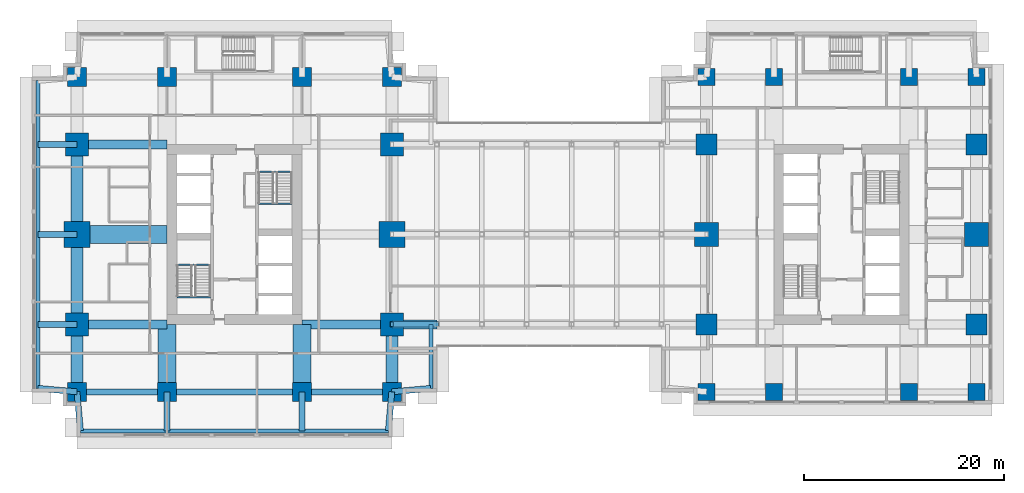
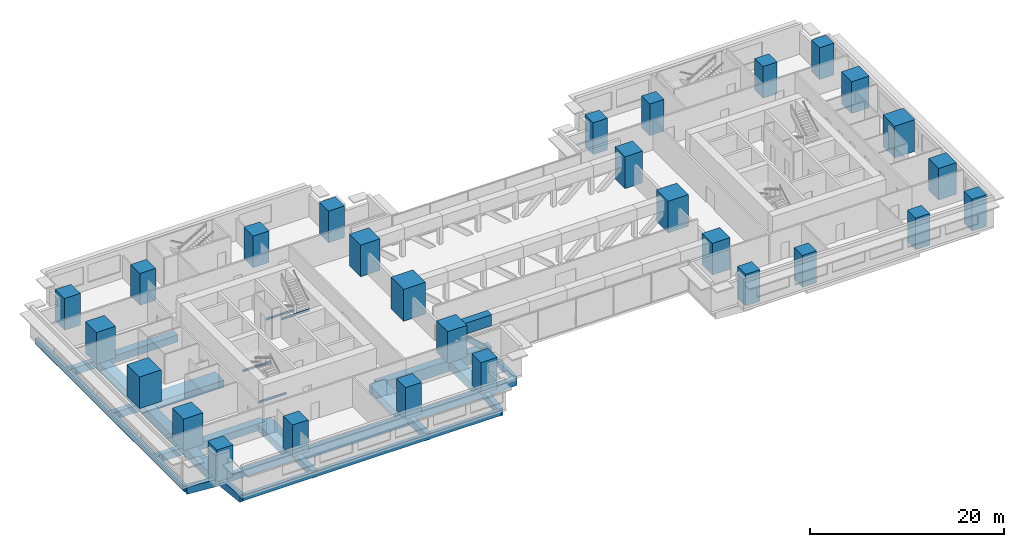
# One storey, part 1 of 15: 28 beams, 28 columns, 4 members.
"""IFC4 building model written with IfcOpenShell, lengths in metres."""

import ifcopenshell
import ifcopenshell.guid

model = None  # the IFC model being written
_history = None  # IfcOwnerHistory: only IFC2X3 demands one
_inside = {}  # id of a spatial element -> (the spatial element, [elements in it])
_under = {}  # id of a project, library or spatial element -> (it, [spatial elements below it])
_declared = {}  # id of a project -> (the project, [libraries it declares])
_typed = {}  # id of a type object -> (the type object, [elements of that type])
_made_of = {}  # id of a material, layer set ... -> (it, [elements and type objects made of it])


def new_model(schema):
    """Start an empty IFC model of exactly this schema.

    Asked for "IFC4X3", IfcOpenShell would pick the latest addendum, in which some entities
    have other attributes; the version numbers below select the first issue.
    IFC2X3 requires an IfcOwnerHistory on every rooted entity: one is made here for all.
    """
    global model, _history
    if schema == "IFC4X3":
        model = ifcopenshell.file(schema_version=(4, 3, 0, 0))
    else:
        model = ifcopenshell.file(schema=schema)
    _inside.clear()
    _under.clear()
    _declared.clear()
    _typed.clear()
    _made_of.clear()
    _history = None
    if model.schema == "IFC2X3":
        org = make("IfcOrganization", Name="unknown")
        user = make(
            "IfcPersonAndOrganization",
            ThePerson=make("IfcPerson", FamilyName="unknown"),
            TheOrganization=org,
        )
        app = make(
            "IfcApplication",
            ApplicationDeveloper=org,
            Version="unknown",
            ApplicationFullName="unknown",
            ApplicationIdentifier="unknown",
        )
        _history = make(
            "IfcOwnerHistory",
            OwningUser=user,
            OwningApplication=app,
            ChangeAction="ADDED",
            CreationDate=0,
        )
    return model


def make(cls, **values):
    """One entity of the class cls with the attributes given. An attribute that is None is left unset."""
    return model.create_entity(
        cls, **{name: value for name, value in values.items() if value is not None}
    )


def rooted(cls, **values):
    """An entity with a GlobalId (a new one), such as an element, a storey or a relation."""
    return make(cls, GlobalId=ifcopenshell.guid.new(), OwnerHistory=_history, **values)


def si_unit(unit_type, name, prefix=None):
    """IfcSIUnit, for example si_unit("LENGTHUNIT", "METRE", prefix="MILLI")."""
    return make("IfcSIUnit", UnitType=unit_type, Prefix=prefix, Name=name)


def assignment(units):
    """IfcUnitAssignment: the units of a project."""
    return None if units is None else make("IfcUnitAssignment", Units=units)


def point(xyz):
    """IfcCartesianPoint."""
    return None if xyz is None else make("IfcCartesianPoint", Coordinates=xyz)


def direction(xyz):
    """IfcDirection."""
    return None if xyz is None else make("IfcDirection", DirectionRatios=xyz)


def frame(location, z_axis=None, x_axis=None):
    """IfcAxis2Placement3D, a coordinate frame: its origin and axes. An axis left out is left unset."""
    return make(
        "IfcAxis2Placement3D",
        Location=point(location),
        Axis=direction(z_axis),
        RefDirection=direction(x_axis),
    )


def frame_2d(location, x_axis=None):
    """IfcAxis2Placement2D, a coordinate frame in the plane: its origin and x axis."""
    return make(
        "IfcAxis2Placement2D", Location=point(location), RefDirection=direction(x_axis)
    )


def origin():
    """The frame at (0, 0, 0) with its axes left unset."""
    return frame((0.0, 0.0, 0.0))


def origin_2d():
    """The frame at (0, 0) in the plane with its x axis left unset."""
    return frame_2d((0.0, 0.0))


def place(relative_to, where):
    """IfcLocalPlacement: puts the frame where relative to a parent placement (None: the world)."""
    return make(
        "IfcLocalPlacement", PlacementRelTo=relative_to, RelativePlacement=where
    )


def context(
    kind, dimensions, precision=None, world=None, true_north=None, identifier=None
):
    """IfcGeometricRepresentationContext, for example the 3D "Model" context."""
    return make(
        "IfcGeometricRepresentationContext",
        ContextIdentifier=identifier,
        ContextType=kind,
        CoordinateSpaceDimension=dimensions,
        Precision=precision,
        WorldCoordinateSystem=world,
        TrueNorth=true_north,
    )


def subcontext(parent, identifier, kind, view, scale=None):
    """IfcGeometricRepresentationSubContext, for example "Body" below "Model"."""
    return make(
        "IfcGeometricRepresentationSubContext",
        ContextIdentifier=identifier,
        ContextType=kind,
        ParentContext=parent,
        TargetScale=scale,
        TargetView=view,
    )


def project(units=None, contexts=None):
    """IfcProject with its units and contexts."""
    return rooted(
        "IfcProject",
        Name="project",
        RepresentationContexts=contexts,
        UnitsInContext=assignment(units),
    )


def spatial(cls, under=None, at=None, **own):
    """A site, building, storey or space (cls), placed at a placement, below another one or the project."""
    s = rooted(cls, ObjectPlacement=at, **own)
    if under is not None:
        _under.setdefault(under.id(), (under, []))[1].append(s)
    return s


def profile(cls, at=None, kind="AREA", **sizes):
    """A parametric profile (cls). Its sizes go by their IFC names, for example OverallWidth=200.0."""
    return make(cls, ProfileType=kind, Position=at, **sizes)


def rectangle(**sizes):
    """IfcRectangleProfileDef."""
    return profile("IfcRectangleProfileDef", **sizes)


def hollow_rectangle(**sizes):
    """IfcRectangleHollowProfileDef."""
    return profile("IfcRectangleHollowProfileDef", **sizes)


def i_section(**sizes):
    """IfcIShapeProfileDef."""
    return profile("IfcIShapeProfileDef", **sizes)


def extrude(swept, where, along, depth):
    """IfcExtrudedAreaSolid: the profile swept, set in the frame where, extruded along a direction by depth."""
    return make(
        "IfcExtrudedAreaSolid",
        SweptArea=swept,
        Position=where,
        ExtrudedDirection=direction(along),
        Depth=depth,
    )


def shape(context_of_items, identifier, shape_type, items):
    """IfcShapeRepresentation: the items that make up one representation, for example the "Body"."""
    return make(
        "IfcShapeRepresentation",
        ContextOfItems=context_of_items,
        RepresentationIdentifier=identifier,
        RepresentationType=shape_type,
        Items=items,
    )


def material(Name=None, Category=None):
    """IfcMaterial."""
    return make("IfcMaterial", Name=Name, Category=Category)


def material_profile(
    of_material, cross_section, Name=None, Category=None, Priority=None
):
    """IfcMaterialProfile: a cross section and its material."""
    return make(
        "IfcMaterialProfile",
        Name=Name,
        Material=of_material,
        Profile=cross_section,
        Priority=Priority,
        Category=Category,
    )


def profile_set(profiles, Name=None, composite=None):
    """IfcMaterialProfileSet."""
    return make(
        "IfcMaterialProfileSet",
        Name=Name,
        MaterialProfiles=profiles,
        CompositeProfile=composite,
    )


def made_of(thing, what):
    """Note that an element or type object is made of a material, layer set ...; save() writes the relation."""
    if what is not None:
        _made_of.setdefault(what.id(), (what, []))[1].append(thing)
    return thing


def type_object(cls, material=None, **own):
    """A type object (cls), such as IfcWallType, which elements share."""
    return made_of(rooted(cls, **own), material)


def element(
    cls,
    number,
    at=None,
    inside=None,
    cuts=None,
    type_object=None,
    material=None,
    context=None,
    identifier="Body",
    shape_type=None,
    held_by="IfcProductDefinitionShape",
    body=None,
    shapes=None,
    **own,
):
    """One element of the class cls, such as IfcWall. Its Tag is "e" and its number.

    at: its placement. inside: the storey or other place that contains it. cuts: it is an
    opening in that element (IfcRelVoidsElement). A single representation is given by context,
    identifier, shape_type and body (its items); several are given by shapes. held_by: the class
    of the entity that holds the representations. save() writes the other relations.
    """
    e = rooted(cls, Tag="e%d" % number, ObjectPlacement=at, **own)
    if body is not None:
        shapes = [shape(context, identifier, shape_type, body)]
    if shapes is not None:
        e.Representation = make(held_by, Representations=shapes)
    if inside is not None:
        _inside.setdefault(inside.id(), (inside, []))[1].append(e)
    if cuts is not None:
        rooted(
            "IfcRelVoidsElement", RelatingBuildingElement=cuts, RelatedOpeningElement=e
        )
    if type_object is not None:
        _typed.setdefault(type_object.id(), (type_object, []))[1].append(e)
    return made_of(e, material)


def aggregate(whole, parts):
    """IfcRelAggregates: a whole, such as a stair, and the parts it consists of."""
    return rooted("IfcRelAggregates", RelatingObject=whole, RelatedObjects=parts)


def save(model, path):
    """Write the relations noted so far, then the file.

    IfcRelAggregates (storeys below a building ...), IfcRelContainedInSpatialStructure (elements
    in a storey), IfcRelDefinesByType, IfcRelAssociatesMaterial and IfcRelDeclares: one each for
    every whole, place, type object, material and project.
    """
    for whole, parts in _under.values():
        aggregate(whole, parts)
    for where, things in _inside.values():
        rooted(
            "IfcRelContainedInSpatialStructure",
            RelatedElements=things,
            RelatingStructure=where,
        )
    for kind, things in _typed.values():
        rooted("IfcRelDefinesByType", RelatedObjects=things, RelatingType=kind)
    for what, things in _made_of.values():
        rooted("IfcRelAssociatesMaterial", RelatedObjects=things, RelatingMaterial=what)
    for by, libraries in _declared.values():
        rooted("IfcRelDeclares", RelatingContext=by, RelatedDefinitions=libraries)
    model.write(path)


model = new_model("IFC4")

# Units and contexts
model_context = context("Model", 3, precision=1e-05, world=origin(), true_north=direction((0.0, 1.0)))
body_context = subcontext(model_context, "Body", "Model", "MODEL_VIEW")
ifc_project = project(units=[si_unit("LENGTHUNIT", "METRE"), si_unit("AREAUNIT", "SQUARE_METRE"), si_unit("VOLUMEUNIT", "CUBIC_METRE"), si_unit("PLANEANGLEUNIT", "RADIAN"), si_unit("MASSUNIT", "GRAM", prefix="KILO")], contexts=[model_context])

# Site, building, storey
site_placement = place(None, origin())
site = spatial("IfcSite", under=ifc_project, at=site_placement, CompositionType="ELEMENT")
building_placement = place(site_placement, origin())
building = spatial("IfcBuilding", under=site, at=building_placement, Name="Namib Vertical Campus", CompositionType="ELEMENT")
storey_placement = place(building_placement, frame((0.0, 0.0, 105.0)))
storey = spatial("IfcBuildingStorey", under=building, at=storey_placement, Name="L24", CompositionType="ELEMENT", Elevation=105.0)

# Columns
ifc_material_1 = material(Name="Concrete C60/75", Category="concrete")
ifc_material_profile_1 = material_profile(ifc_material_1, rectangle(XDim=1.699951171875, YDim=1.699951171875, at=origin_2d()))
ifc_profile_set_1 = profile_set([ifc_material_profile_1], Name="Concrete C60/75")
column_type_1 = type_object("IfcColumnType", Name="Column RC 1700x1700", PredefinedType="COLUMN", material=ifc_profile_set_1)
for number, where, z_axis, x_axis, name in (
    (1, (67.5, 4.5, 0.0), (0.0, 0.0, 1.0), (1.0, 0.0, 0.0), "Column C170 L24"),
    (2, (74.25, 4.5, 0.0), (0.0, 0.0, 1.0), (1.0, 0.0, 0.0), "Column C170 L24"),
    (3, (87.75, 4.5, 0.0), (0.0, 0.0, 1.0), (1.0, 0.0, 0.0), "Column C170 L24"),
    (4, (94.5, 4.5, 0.0), (0.0, 0.0, 1.0), (1.0, 0.0, 0.0), "Column C170 L24"),
    (5, (67.5, 36.0, 0.0), (0.0, 0.0, 1.0), (1.0, 0.0, 0.0), "Column C170 L24"),
    (6, (74.25, 36.0, 0.0), (0.0, 0.0, 1.0), (1.0, 0.0, 0.0), "Column C170 L24"),
    (7, (87.75, 36.0, 0.0), (0.0, 0.0, 1.0), (1.0, 0.0, 0.0), "Column C170 L24"),
    (8, (94.5, 36.0, 0.0), (0.0, 0.0, 1.0), (1.0, 0.0, 0.0), "Column C170 L24"),
):
    element("IfcColumn", number, at=place(storey_placement, frame(where, z_axis=z_axis, x_axis=x_axis)), inside=storey, type_object=column_type_1, Name=name, PredefinedType="COLUMN", context=body_context, shape_type="SweptSolid", body=[
        extrude(rectangle(XDim=1.699951171875, YDim=1.699951171875, at=origin_2d()), origin(), (0.0, 0.0, 1.0), 4.0),
    ])
ifc_material_2 = material(Name="Concrete C60/75", Category="concrete")
ifc_material_profile_2 = material_profile(ifc_material_2, rectangle(XDim=1.89990234375, YDim=1.89990234375, at=origin_2d()))
ifc_profile_set_2 = profile_set([ifc_material_profile_2], Name="Concrete C60/75")
column_type_2 = type_object("IfcColumnType", Name="Column RC 1900x1900", PredefinedType="COLUMN", material=ifc_profile_set_2)
for number, where, z_axis, x_axis, name in (
    (9, (4.5, 4.5, 0.0), (0.0, 0.0, 1.0), (1.0, 0.0, 0.0), "Column C190 L24"),
    (10, (13.5, 4.5, 0.0), (0.0, 0.0, 1.0), (1.0, 0.0, 0.0), "Column C190 L24"),
    (11, (27.0, 4.5, 0.0), (0.0, 0.0, 1.0), (1.0, 0.0, 0.0), "Column C190 L24"),
    (12, (36.0, 4.5, 0.0), (0.0, 0.0, 1.0), (1.0, 0.0, 0.0), "Column C190 L24"),
    (13, (4.5, 36.0, 0.0), (0.0, 0.0, 1.0), (1.0, 0.0, 0.0), "Column C190 L24"),
    (14, (13.5, 36.0, 0.0), (0.0, 0.0, 1.0), (1.0, 0.0, 0.0), "Column C190 L24"),
    (15, (27.0, 36.0, 0.0), (0.0, 0.0, 1.0), (1.0, 0.0, 0.0), "Column C190 L24"),
    (16, (36.0, 36.0, 0.0), (0.0, 0.0, 1.0), (1.0, 0.0, 0.0), "Column C190 L24"),
):
    element("IfcColumn", number, at=place(storey_placement, frame(where, z_axis=z_axis, x_axis=x_axis)), inside=storey, type_object=column_type_2, Name=name, PredefinedType="COLUMN", context=body_context, shape_type="SweptSolid", body=[
        extrude(rectangle(XDim=1.89990234375, YDim=1.89990234375, at=origin_2d()), origin(), (0.0, 0.0, 1.0), 4.0),
    ])
ifc_material_3 = material(Name="Concrete C60/75", Category="concrete")
ifc_material_profile_3 = material_profile(ifc_material_3, rectangle(XDim=2.10009765625, YDim=2.10009765625, at=origin_2d()))
ifc_profile_set_3 = profile_set([ifc_material_profile_3], Name="Concrete C60/75")
column_type_3 = type_object("IfcColumnType", Name="Column RC 2100x2100", PredefinedType="COLUMN", material=ifc_profile_set_3)
for number, where, z_axis, x_axis, name in (
    (17, (67.5, 11.25, 0.0), (0.0, 0.0, 1.0), (1.0, 0.0, 0.0), "Column C210 L24"),
    (18, (94.5, 11.25, 0.0), (0.0, 0.0, 1.0), (1.0, 0.0, 0.0), "Column C210 L24"),
    (19, (67.5, 29.25, 0.0), (0.0, 0.0, 1.0), (1.0, 0.0, 0.0), "Column C210 L24"),
    (20, (94.5, 29.25, 0.0), (0.0, 0.0, 1.0), (1.0, 0.0, 0.0), "Column C210 L24"),
):
    element("IfcColumn", number, at=place(storey_placement, frame(where, z_axis=z_axis, x_axis=x_axis)), inside=storey, type_object=column_type_3, Name=name, PredefinedType="COLUMN", context=body_context, shape_type="SweptSolid", body=[
        extrude(rectangle(XDim=2.10009765625, YDim=2.10009765625, at=origin_2d()), origin(), (0.0, 0.0, 1.0), 4.0),
    ])
ifc_material_4 = material(Name="Concrete C60/75", Category="concrete")
ifc_material_profile_4 = material_profile(ifc_material_4, rectangle(XDim=2.300048828125, YDim=2.300048828125, at=origin_2d()))
ifc_profile_set_4 = profile_set([ifc_material_profile_4], Name="Concrete C60/75")
column_type_4 = type_object("IfcColumnType", Name="Column RC 2300x2300", PredefinedType="COLUMN", material=ifc_profile_set_4)
for number, where, z_axis, x_axis, name in (
    (21, (4.5, 11.25, 0.0), (0.0, 0.0, 1.0), (1.0, 0.0, 0.0), "Column C230 L24"),
    (22, (36.0, 11.25, 0.0), (0.0, 0.0, 1.0), (1.0, 0.0, 0.0), "Column C230 L24"),
    (23, (4.5, 29.25, 0.0), (0.0, 0.0, 1.0), (1.0, 0.0, 0.0), "Column C230 L24"),
    (24, (36.0, 29.25, 0.0), (0.0, 0.0, 1.0), (1.0, 0.0, 0.0), "Column C230 L24"),
):
    element("IfcColumn", number, at=place(storey_placement, frame(where, z_axis=z_axis, x_axis=x_axis)), inside=storey, type_object=column_type_4, Name=name, PredefinedType="COLUMN", context=body_context, shape_type="SweptSolid", body=[
        extrude(rectangle(XDim=2.300048828125, YDim=2.300048828125, at=origin_2d()), origin(), (0.0, 0.0, 1.0), 4.0),
    ])
ifc_material_5 = material(Name="Concrete C60/75", Category="concrete")
ifc_material_profile_5 = material_profile(ifc_material_5, rectangle(XDim=2.39990234375, YDim=2.39990234375, at=origin_2d()))
ifc_profile_set_5 = profile_set([ifc_material_profile_5], Name="Concrete C60/75")
column_type_5 = type_object("IfcColumnType", Name="Column RC 2400x2400", PredefinedType="COLUMN", material=ifc_profile_set_5)
for number, where, z_axis, x_axis, name in (
    (25, (67.5, 20.25, 0.0), (0.0, 0.0, 1.0), (1.0, 0.0, 0.0), "Column C240 L24"),
    (26, (94.5, 20.25, 0.0), (0.0, 0.0, 1.0), (1.0, 0.0, 0.0), "Column C240 L24"),
):
    element("IfcColumn", number, at=place(storey_placement, frame(where, z_axis=z_axis, x_axis=x_axis)), inside=storey, type_object=column_type_5, Name=name, PredefinedType="COLUMN", context=body_context, shape_type="SweptSolid", body=[
        extrude(rectangle(XDim=2.39990234375, YDim=2.39990234375, at=origin_2d()), origin(), (0.0, 0.0, 1.0), 4.0),
    ])
ifc_material_6 = material(Name="Concrete C60/75", Category="concrete")
ifc_material_profile_6 = material_profile(ifc_material_6, rectangle(XDim=2.60009765625, YDim=2.60009765625, at=origin_2d()))
ifc_profile_set_6 = profile_set([ifc_material_profile_6], Name="Concrete C60/75")
column_type_6 = type_object("IfcColumnType", Name="Column RC 2600x2600", PredefinedType="COLUMN", material=ifc_profile_set_6)
for number, where, z_axis, x_axis, name in (
    (27, (4.5, 20.25, 0.0), (0.0, 0.0, 1.0), (1.0, 0.0, 0.0), "Column C260 L24"),
    (28, (36.0, 20.25, 0.0), (0.0, 0.0, 1.0), (1.0, 0.0, 0.0), "Column C260 L24"),
):
    element("IfcColumn", number, at=place(storey_placement, frame(where, z_axis=z_axis, x_axis=x_axis)), inside=storey, type_object=column_type_6, Name=name, PredefinedType="COLUMN", context=body_context, shape_type="SweptSolid", body=[
        extrude(rectangle(XDim=2.60009765625, YDim=2.60009765625, at=origin_2d()), origin(), (0.0, 0.0, 1.0), 4.0),
    ])

# Beams
ifc_material_7 = material(Name="Concrete C40/50", Category="concrete")
ifc_material_profile_7 = material_profile(ifc_material_7, rectangle(XDim=0.60009765625, YDim=0.89990234375, at=origin_2d()))
ifc_profile_set_7 = profile_set([ifc_material_profile_7], Name="Concrete C40/50")
beam_type_1 = type_object("IfcBeamType", Name="Cantilever girder RC 600x900", PredefinedType="BEAM", material=ifc_profile_set_7)
beam_1_placement = place(storey_placement, frame((4.5, 4.5, -0.699951171875), z_axis=(0.089411326146, -0.995994786511, 0.0), x_axis=(0.995994786511, 0.089411326146, 0.0)))
element("IfcBeam", 29, at=beam_1_placement, inside=storey, type_object=beam_type_1, Name="Beam B3 L24", PredefinedType="BEAM", context=body_context, shape_type="SweptSolid", body=[
    extrude(rectangle(XDim=0.60009765625, YDim=0.89990234375, at=origin_2d()), origin(), (0.0, 0.0, 1.0), 3.91552734375),
])
for number, where, z_axis, x_axis, name in (
    (30, (13.5, 4.5, -0.699951171875), (0.0, -1.0, 0.0), (1.0, 0.0, 0.0), "Beam B3 L24"),
    (31, (27.0, 4.5, -0.699951171875), (0.0, -1.0, 0.0), (1.0, 0.0, 0.0), "Beam B3 L24"),
):
    element("IfcBeam", number, at=place(storey_placement, frame(where, z_axis=z_axis, x_axis=x_axis)), inside=storey, type_object=beam_type_1, Name=name, PredefinedType="BEAM", context=body_context, shape_type="SweptSolid", body=[
        extrude(rectangle(XDim=0.60009765625, YDim=0.89990234375, at=origin_2d()), origin(), (0.0, 0.0, 1.0), 3.89990234375),
    ])
for number, where, z_axis, x_axis, name in (
    (32, (36.0, 4.5, -0.699951171875), (-0.089411326146, -0.995994786511, 0.0), (0.995994786511, -0.089411326146, 0.0), "Beam B3 L24"),
    (33, (4.5, 4.5, -0.699951171875), (-0.995994786511, 0.089411326146, 0.0), (-0.089411326146, -0.995994786511, 0.0), "Beam B3 L24"),
):
    element("IfcBeam", number, at=place(storey_placement, frame(where, z_axis=z_axis, x_axis=x_axis)), inside=storey, type_object=beam_type_1, Name=name, PredefinedType="BEAM", context=body_context, shape_type="SweptSolid", body=[
        extrude(rectangle(XDim=0.60009765625, YDim=0.89990234375, at=origin_2d()), origin(), (0.0, 0.0, 1.0), 3.91552734375),
    ])
for number, where, z_axis, x_axis, name in (
    (34, (4.5, 11.25, -0.699951171875), (-1.0, 0.0, 0.0), (0.0, -1.0, 0.0), "Beam B3 L24"),
    (35, (4.5, 20.25, -0.699951171875), (-1.0, 0.0, 0.0), (0.0, -1.0, 0.0), "Beam B3 L24"),
    (36, (4.5, 29.25, -0.699951171875), (-1.0, 0.0, 0.0), (0.0, -1.0, 0.0), "Beam B3 L24"),
):
    element("IfcBeam", number, at=place(storey_placement, frame(where, z_axis=z_axis, x_axis=x_axis)), inside=storey, type_object=beam_type_1, Name=name, PredefinedType="BEAM", context=body_context, shape_type="SweptSolid", body=[
        extrude(rectangle(XDim=0.60009765625, YDim=0.89990234375, at=origin_2d()), origin(), (0.0, 0.0, 1.0), 3.89990234375),
    ])
beam_2_placement = place(storey_placement, frame((36.0, 4.5, -0.699951171875), z_axis=(0.995994786511, 0.089411326146, 0.0), x_axis=(-0.089411326146, 0.995994786511, 0.0)))
element("IfcBeam", 37, at=beam_2_placement, inside=storey, type_object=beam_type_1, Name="Beam B3 L24", PredefinedType="BEAM", context=body_context, shape_type="SweptSolid", body=[
    extrude(rectangle(XDim=0.60009765625, YDim=0.89990234375, at=origin_2d()), origin(), (0.0, 0.0, 1.0), 3.91552734375),
])
ifc_material_8 = material(Name="Concrete C40/50", Category="concrete")
ifc_material_profile_8 = material_profile(ifc_material_8, rectangle(XDim=0.39990234375, YDim=0.699951171875, at=origin_2d()))
ifc_profile_set_8 = profile_set([ifc_material_profile_8], Name="Concrete C40/50")
beam_type_2 = type_object("IfcBeamType", Name="Edge beam RC 400x700", PredefinedType="SPANDREL", material=ifc_profile_set_8)
for number, where, z_axis, x_axis, name in (
    (38, (4.85009765625, 0.60009765625, -0.60009765625), (1.0, 0.0, 0.0), (0.0, 1.0, 0.0), "Beam B4 L24"),
    (39, (0.60009765625, 4.85009765625, -0.60009765625), (0.0, 1.0, 0.0), (-1.0, 0.0, 0.0), "Beam B4 L24"),
):
    element("IfcBeam", number, at=place(storey_placement, frame(where, z_axis=z_axis, x_axis=x_axis)), inside=storey, type_object=beam_type_2, Name=name, PredefinedType="SPANDREL", context=body_context, shape_type="SweptSolid", body=[
        extrude(rectangle(XDim=0.39990234375, YDim=0.699951171875, at=origin_2d()), origin(), (0.0, 0.0, 1.0), 30.7998046875),
    ])
beam_3_placement = place(storey_placement, frame((39.89990234375, 4.85009765625, -0.60009765625), z_axis=(0.0, 1.0, 0.0), x_axis=(-1.0, 0.0, 0.0)))
element("IfcBeam", 40, at=beam_3_placement, inside=storey, type_object=beam_type_2, Name="Beam B4 L24", PredefinedType="SPANDREL", context=body_context, shape_type="SweptSolid", body=[
    extrude(rectangle(XDim=0.39990234375, YDim=0.699951171875, at=origin_2d()), origin(), (0.0, 0.0, 1.0), 6.39990234375),
])
ifc_material_9 = material(Name="Concrete C40/50", Category="concrete")
ifc_material_profile_9 = material_profile(ifc_material_9, rectangle(XDim=0.89990234375, YDim=0.89990234375, at=origin_2d()))
ifc_profile_set_9 = profile_set([ifc_material_profile_9], Name="Concrete C40/50")
beam_type_3 = type_object("IfcBeamType", Name="Face girder RC 900x900", PredefinedType="BEAM", material=ifc_profile_set_9)
for number, where, z_axis, x_axis, name in (
    (41, (4.5, 11.25, -0.699951171875), (1.0, 0.0, 0.0), (0.0, 1.0, 0.0), "Beam B10 L24"),
    (42, (4.5, 29.25, -0.699951171875), (1.0, 0.0, 0.0), (0.0, 1.0, 0.0), "Beam B10 L24"),
):
    element("IfcBeam", number, at=place(storey_placement, frame(where, z_axis=z_axis, x_axis=x_axis)), inside=storey, type_object=beam_type_3, Name=name, PredefinedType="BEAM", context=body_context, shape_type="SweptSolid", body=[
        extrude(rectangle(XDim=0.89990234375, YDim=0.89990234375, at=origin_2d()), origin(), (0.0, 0.0, 1.0), 9.0),
    ])
ifc_material_10 = material(Name="Concrete C40/50", Category="concrete")
ifc_material_profile_10 = material_profile(ifc_material_10, rectangle(XDim=1.199951171875, YDim=1.10009765625, at=origin_2d()))
ifc_profile_set_10 = profile_set([ifc_material_profile_10], Name="Concrete C40/50")
beam_type_4 = type_object("IfcBeamType", Name="Face ring beam RC 1200x1100", PredefinedType="BEAM", material=ifc_profile_set_10)
beam_4_placement = place(storey_placement, frame((4.5, 4.5, -0.800048828125), z_axis=(0.0, 1.0, 0.0), x_axis=(-1.0, 0.0, 0.0)))
element("IfcBeam", 43, at=beam_4_placement, inside=storey, type_object=beam_type_4, Name="Beam B11 L24", PredefinedType="BEAM", context=body_context, shape_type="SweptSolid", body=[
    extrude(rectangle(XDim=1.199951171875, YDim=1.10009765625, at=origin_2d()), origin(), (0.0, 0.0, 1.0), 6.75),
])
for number, where, z_axis, x_axis, name in (
    (44, (4.5, 11.25, -0.800048828125), (0.0, 1.0, 0.0), (-1.0, 0.0, 0.0), "Beam B11 L24"),
    (45, (4.5, 20.25, -0.800048828125), (0.0, 1.0, 0.0), (-1.0, 0.0, 0.0), "Beam B11 L24"),
):
    element("IfcBeam", number, at=place(storey_placement, frame(where, z_axis=z_axis, x_axis=x_axis)), inside=storey, type_object=beam_type_4, Name=name, PredefinedType="BEAM", context=body_context, shape_type="SweptSolid", body=[
        extrude(rectangle(XDim=1.199951171875, YDim=1.10009765625, at=origin_2d()), origin(), (0.0, 0.0, 1.0), 9.0),
    ])
beam_5_placement = place(storey_placement, frame((36.0, 4.5, -0.800048828125), z_axis=(0.0, 1.0, 0.0), x_axis=(-1.0, 0.0, 0.0)))
element("IfcBeam", 46, at=beam_5_placement, inside=storey, type_object=beam_type_4, Name="Beam B11 L24", PredefinedType="BEAM", context=body_context, shape_type="SweptSolid", body=[
    extrude(rectangle(XDim=1.199951171875, YDim=1.10009765625, at=origin_2d()), origin(), (0.0, 0.0, 1.0), 6.75),
])
ifc_material_11 = material(Name="Steel S355JR", Category="steel")
ifc_material_profile_11 = material_profile(ifc_material_11, i_section(OverallWidth=0.14599609375, OverallDepth=0.25146484375, WebThickness=0.006103515625, FlangeThickness=0.008544921875, FilletRadius=0.007568359375, at=origin_2d()))
ifc_profile_set_11 = profile_set([ifc_material_profile_11], Name="Steel S355JR")
beam_type_5 = type_object("IfcBeamType", Name="Landing trimmer UB 254x146x31", PredefinedType="BEAM", material=ifc_profile_set_11)
for number, where, z_axis, x_axis, name in (
    (47, (14.5, 13.97705078125, -0.125732421875), (1.0, 0.0, 0.0), (0.0, 1.0, 0.0), "Landing trimmer LT1 A-S1 L24 1"),
    (48, (14.5, 17.203125, 1.874267578125), (1.0, 0.0, 0.0), (0.0, 1.0, 0.0), "Landing trimmer LT1 A-S1 L24 2"),
    (49, (22.64990234375, 26.52294921875, -0.125732421875), (1.0, 0.0, 0.0), (0.0, 1.0, 0.0), "Landing trimmer LT1 A-S2 L24 1"),
    (50, (22.64990234375, 23.296875, 1.874267578125), (1.0, 0.0, 0.0), (0.0, 1.0, 0.0), "Landing trimmer LT1 A-S2 L24 2"),
):
    element("IfcBeam", number, at=place(storey_placement, frame(where, z_axis=z_axis, x_axis=x_axis)), inside=storey, type_object=beam_type_5, Name=name, PredefinedType="BEAM", context=body_context, shape_type="SweptSolid", body=[
        extrude(i_section(OverallWidth=0.14599609375, OverallDepth=0.25146484375, WebThickness=0.006103515625, FlangeThickness=0.008544921875, FilletRadius=0.007568359375, at=origin_2d()), origin(), (0.0, 0.0, 1.0), 3.35009765625),
    ])
ifc_material_12 = material(Name="Concrete C40/50", Category="concrete")
ifc_material_profile_12 = material_profile(ifc_material_12, rectangle(XDim=0.60009765625, YDim=1.199951171875, at=origin_2d()))
ifc_profile_set_12 = profile_set([ifc_material_profile_12], Name="Concrete C40/50")
beam_type_6 = type_object("IfcBeamType", Name="Long-span ring beam RC 600x1200", PredefinedType="BEAM", material=ifc_profile_set_12)
beam_6_placement = place(storey_placement, frame((13.5, 4.5, -0.85009765625), z_axis=(1.0, 0.0, 0.0), x_axis=(0.0, 1.0, 0.0)))
element("IfcBeam", 51, at=beam_6_placement, inside=storey, type_object=beam_type_6, Name="Beam B9 L24", PredefinedType="BEAM", context=body_context, shape_type="SweptSolid", body=[
    extrude(rectangle(XDim=0.60009765625, YDim=1.199951171875, at=origin_2d()), origin(), (0.0, 0.0, 1.0), 13.5),
])
ifc_material_13 = material(Name="Concrete C40/50", Category="concrete")
ifc_material_profile_13 = material_profile(ifc_material_13, rectangle(XDim=1.800048828125, YDim=0.89990234375, at=origin_2d()))
ifc_profile_set_13 = profile_set([ifc_material_profile_13], Name="Concrete C40/50")
beam_type_7 = type_object("IfcBeamType", Name="Outrigger line girder RC 1800x900", PredefinedType="BEAM", material=ifc_profile_set_13)
for number, where, z_axis, x_axis, name in (
    (52, (13.5, 4.5, -0.699951171875), (0.0, 1.0, 0.0), (-1.0, 0.0, 0.0), "Beam B12 L24"),
    (53, (27.0, 4.5, -0.699951171875), (0.0, 1.0, 0.0), (-1.0, 0.0, 0.0), "Beam B12 L24"),
):
    element("IfcBeam", number, at=place(storey_placement, frame(where, z_axis=z_axis, x_axis=x_axis)), inside=storey, type_object=beam_type_7, Name=name, PredefinedType="BEAM", context=body_context, shape_type="SweptSolid", body=[
        extrude(rectangle(XDim=1.800048828125, YDim=0.89990234375, at=origin_2d()), origin(), (0.0, 0.0, 1.0), 6.75),
    ])
beam_7_placement = place(storey_placement, frame((4.5, 20.25, -0.699951171875), z_axis=(1.0, 0.0, 0.0), x_axis=(0.0, 1.0, 0.0)))
element("IfcBeam", 54, at=beam_7_placement, inside=storey, type_object=beam_type_7, Name="Beam B12 L24", PredefinedType="BEAM", context=body_context, shape_type="SweptSolid", body=[
    extrude(rectangle(XDim=1.800048828125, YDim=0.89990234375, at=origin_2d()), origin(), (0.0, 0.0, 1.0), 9.0),
])
ifc_material_14 = material(Name="Concrete C40/50", Category="concrete")
ifc_material_profile_14 = material_profile(ifc_material_14, rectangle(XDim=0.60009765625, YDim=0.800048828125, at=origin_2d()))
ifc_profile_set_14 = profile_set([ifc_material_profile_14], Name="Concrete C40/50")
beam_type_8 = type_object("IfcBeamType", Name="Ring beam RC 600x800", PredefinedType="BEAM", material=ifc_profile_set_14)
for number, where, z_axis, x_axis, name in (
    (55, (4.5, 4.5, -0.64990234375), (1.0, 0.0, 0.0), (0.0, 1.0, 0.0), "Beam B1 L24"),
    (56, (27.0, 4.5, -0.64990234375), (1.0, 0.0, 0.0), (0.0, 1.0, 0.0), "Beam B1 L24"),
):
    element("IfcBeam", number, at=place(storey_placement, frame(where, z_axis=z_axis, x_axis=x_axis)), inside=storey, type_object=beam_type_8, Name=name, PredefinedType="BEAM", context=body_context, shape_type="SweptSolid", body=[
        extrude(rectangle(XDim=0.60009765625, YDim=0.800048828125, at=origin_2d()), origin(), (0.0, 0.0, 1.0), 9.0),
    ])

# Members
ifc_material_15 = material(Name="Steel S355JR", Category="steel")
ifc_material_profile_15 = material_profile(ifc_material_15, hollow_rectangle(XDim=0.89990234375, YDim=1.39990234375, WallThickness=0.070068359375, at=origin_2d()))
ifc_profile_set_15 = profile_set([ifc_material_profile_15], Name="Steel S355JR")
member_type_1 = type_object("IfcMemberType", Name="Truss chord WB 1400x900x70", PredefinedType="CHORD", material=ifc_profile_set_15)
member_1_placement = place(storey_placement, frame((36.0, 11.25, -0.949951171875), z_axis=(-1.0, 0.0, 0.0), x_axis=(0.0, -1.0, 0.0)))
element("IfcMember", 57, at=member_1_placement, inside=storey, type_object=member_type_1, Name="Transfer truss T1 anchor chord A bottom", PredefinedType="CHORD", context=body_context, shape_type="SweptSolid", body=[
    extrude(hollow_rectangle(XDim=0.89990234375, YDim=1.39990234375, WallThickness=0.070068359375, at=origin_2d()), origin(), (0.0, 0.0, 1.0), 9.0),
])
for number, where, z_axis, x_axis, name in (
    (58, (36.0, 11.25, -0.949951171875), (1.0, 0.0, 0.0), (0.0, 1.0, 0.0), "Transfer truss T1 bottom chord 1"),
    (59, (36.0, 11.25, 3.050048828125), (1.0, 0.0, 0.0), (0.0, 1.0, 0.0), "Transfer truss T1 top chord 1"),
):
    element("IfcMember", number, at=place(storey_placement, frame(where, z_axis=z_axis, x_axis=x_axis)), inside=storey, type_object=member_type_1, Name=name, PredefinedType="CHORD", context=body_context, shape_type="SweptSolid", body=[
        extrude(hollow_rectangle(XDim=0.89990234375, YDim=1.39990234375, WallThickness=0.070068359375, at=origin_2d()), origin(), (0.0, 0.0, 1.0), 4.5),
    ])
ifc_material_16 = material(Name="Steel S355JR", Category="steel")
ifc_material_profile_16 = material_profile(ifc_material_16, hollow_rectangle(XDim=0.550048828125, YDim=0.550048828125, WallThickness=0.0400390625, at=origin_2d()))
ifc_profile_set_16 = profile_set([ifc_material_profile_16], Name="Steel S355JR")
member_type_2 = type_object("IfcMemberType", Name="Truss diagonal WB 550x550x40", PredefinedType="BRACE", material=ifc_profile_set_16)
member_2_placement = place(storey_placement, frame((36.0, 11.25, 3.050048828125), z_axis=(0.747409318684, 0.0, -0.66436383883), x_axis=(0.0, 1.0, 0.0)))
element("IfcMember", 60, at=member_2_placement, inside=storey, type_object=member_type_2, Name="Transfer truss T1 diagonal 1", PredefinedType="BRACE", context=body_context, shape_type="SweptSolid", body=[
    extrude(hollow_rectangle(XDim=0.550048828125, YDim=0.550048828125, WallThickness=0.0400390625, at=origin_2d()), origin(), (0.0, 0.0, 1.0), 6.020751953125),
])

save(model, "model.ifc")
